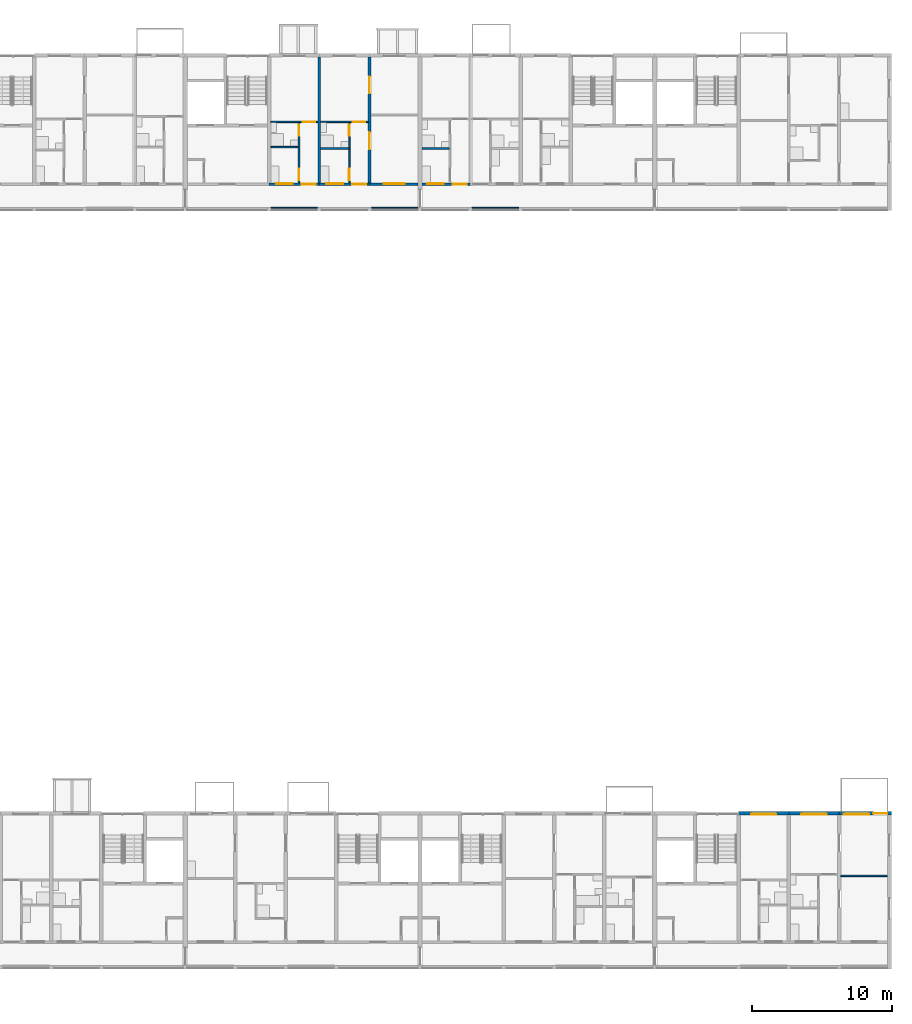
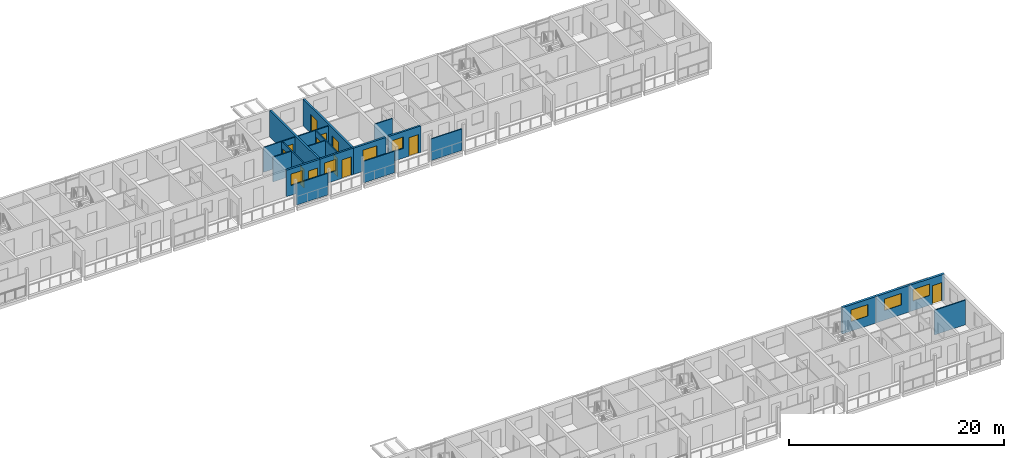
# One storey, part 57 of 100: 20 walls, 12 doors, 7 windows, 19 openings.
"""IFC4 building model written with IfcOpenShell, lengths in metres."""

from ifc_helpers import new_model, si_unit, direction, frame, frame_2d, origin, place, context, subcontext, project, spatial, rectangle, extrude, material, layer, layer_set, type_object, element, fill, save


model = new_model("IFC4")

# Units and contexts
model_context = context("Model", 3, precision=1e-05, world=origin(), true_north=direction((0.0, 1.0)))
body_context = subcontext(model_context, "Body", "Model", "MODEL_VIEW")
ifc_project = project(units=[si_unit("LENGTHUNIT", "METRE"), si_unit("AREAUNIT", "SQUARE_METRE"), si_unit("VOLUMEUNIT", "CUBIC_METRE"), si_unit("PLANEANGLEUNIT", "RADIAN"), si_unit("MASSUNIT", "GRAM", prefix="KILO")], contexts=[model_context])

# Site, building, storey
site_placement = place(None, origin())
site = spatial("IfcSite", under=ifc_project, at=site_placement, CompositionType="ELEMENT")
building_placement = place(site_placement, origin())
building = spatial("IfcBuilding", under=site, at=building_placement, Name="Ridgestep Commons", CompositionType="ELEMENT")
storey_placement = place(building_placement, frame((0.0, 0.0, 9.0)))
storey = spatial("IfcBuildingStorey", under=building, at=storey_placement, Name="L03", CompositionType="ELEMENT", Elevation=9.0)

# Wall
ifc_material_1 = material(Name="Precast concrete C40/50", Category="concrete")
ifc_layer_1 = layer(ifc_material_1, 0.199951171875)
ifc_layer_set_1 = layer_set([ifc_layer_1], Name="Cross wall 200")
wall_type_1 = type_object("IfcWallType", Name="Cross wall 200", PredefinedType="SHEAR", material=ifc_layer_set_1)
wall_1_placement = place(storey_placement, frame((206.800048828125, 68.0, 0.0), z_axis=(0.0, 0.0, 1.0), x_axis=(0.0, 1.0, 0.0)))
element("IfcWall", 1, at=wall_1_placement, inside=storey, type_object=wall_type_1, Name="Cross wall C-03-2068", PredefinedType="SHEAR", context=body_context, shape_type="SweptSolid", body=[
    extrude(rectangle(XDim=9.0, YDim=0.199951171875, at=frame_2d((4.5, 0.0))), origin(), (0.0, 0.0, 1.0), 3.0),
])

# Wall, openings, doors
wall_2_placement = place(storey_placement, frame((210.39990234375, 68.0, 0.0), z_axis=(0.0, 0.0, 1.0), x_axis=(0.0, 1.0, 0.0)))
wall_2 = element("IfcWall", 2, at=wall_2_placement, inside=storey, type_object=wall_type_1, Name="Cross wall C-03-2104", PredefinedType="SHEAR", context=body_context, shape_type="SweptSolid", body=[
    extrude(rectangle(XDim=9.0, YDim=0.199951171875, at=frame_2d((4.5, 0.0))), origin(), (0.0, 0.0, 1.0), 3.0),
])
opening_1_placement = place(wall_2_placement, frame((2.39990234375, 0.0, 0.0)))
opening_1 = element("IfcOpeningElement", 3, at=opening_1_placement, cuts=wall_2, Name="Opening C4-03a/5", PredefinedType="OPENING", context=body_context, shape_type="SweptSolid", body=[
    extrude(rectangle(XDim=1.199951171875, YDim=2.10009765625, at=frame_2d((0.60009765625, 1.050048828125))), frame((0.0, 0.10986328125, 0.0), z_axis=(0.0, -1.0, 0.0), x_axis=(1.0, 0.0, 0.0)), (0.0, 0.0, 1.0), 0.219970703125),
])
opening_2_placement = place(wall_2_placement, frame((6.39990234375, 0.0, 0.0)))
opening_2 = element("IfcOpeningElement", 4, at=opening_2_placement, cuts=wall_2, Name="Opening C4-03a/6", PredefinedType="OPENING", context=body_context, shape_type="SweptSolid", body=[
    extrude(rectangle(XDim=1.199951171875, YDim=2.10009765625, at=frame_2d((0.60009765625, 1.050048828125))), frame((0.0, 0.10986328125, 0.0), z_axis=(0.0, -1.0, 0.0), x_axis=(1.0, 0.0, 0.0)), (0.0, 0.0, 1.0), 0.219970703125),
])
ifc_material_2 = material(Name="Timber door leaf", Category="wood")
door_type_1 = type_object("IfcDoorType", Name="Double door 1200 x 2100", OperationType="DOUBLE_DOOR_SINGLE_SWING", PredefinedType="DOOR", material=ifc_material_2)
door_1_placement = place(opening_1_placement, origin())
door_1 = element("IfcDoor", 5, at=door_1_placement, inside=storey, type_object=door_type_1, Name="Double door C4-03a/5", OperationType="DOUBLE_DOOR_SINGLE_SWING", OverallHeight=2.10009765625, OverallWidth=1.199951171875, PredefinedType="DOOR", context=body_context, shape_type="SweptSolid", body=[
    extrude(rectangle(XDim=1.199951171875, YDim=2.10009765625, at=frame_2d((0.60009765625, 1.050048828125))), frame((0.0, 0.02490234375, 0.0), z_axis=(0.0, -1.0, 0.0), x_axis=(1.0, 0.0, 0.0)), (0.0, 0.0, 1.0), 0.050048828125),
])
fill(opening_1, door_1)
door_2_placement = place(opening_2_placement, origin())
door_2 = element("IfcDoor", 6, at=door_2_placement, inside=storey, type_object=door_type_1, Name="Double door C4-03a/6", OperationType="DOUBLE_DOOR_SINGLE_SWING", OverallHeight=2.10009765625, OverallWidth=1.199951171875, PredefinedType="DOOR", context=body_context, shape_type="SweptSolid", body=[
    extrude(rectangle(XDim=1.199951171875, YDim=2.10009765625, at=frame_2d((0.60009765625, 1.050048828125))), frame((0.0, 0.02490234375, 0.0), z_axis=(0.0, -1.0, 0.0), x_axis=(1.0, 0.0, 0.0)), (0.0, 0.0, 1.0), 0.050048828125),
])
fill(opening_2, door_2)

# Wall, opening, window
ifc_material_3 = material(Name="Precast concrete C40/50", Category="concrete")
ifc_layer_2 = layer(ifc_material_3, 0.25)
ifc_layer_set_2 = layer_set([ifc_layer_2], Name="North facade panel 250")
wall_type_2 = type_object("IfcWallType", Name="North facade panel 250", PredefinedType="SOLIDWALL", material=ifc_layer_set_2)
wall_3_placement = place(storey_placement, frame((236.800048828125, 22.875, 0.0), z_axis=(0.0, 0.0, 1.0), x_axis=(1.0, 0.0, 0.0)))
wall_3 = element("IfcWall", 7, at=wall_3_placement, inside=storey, type_object=wall_type_2, Name="North panel D6T3 L03", PredefinedType="SOLIDWALL", context=body_context, shape_type="SweptSolid", body=[
    extrude(rectangle(XDim=3.599853515625, YDim=0.25, at=frame_2d((1.7998046875, 0.0))), origin(), (0.0, 0.0, 1.0), 3.0),
])
opening_3_placement = place(wall_3_placement, frame((0.89990234375, 0.0, 1.10009765625)))
opening_3 = element("IfcOpeningElement", 8, at=opening_3_placement, cuts=wall_3, Name="Opening W18", PredefinedType="OPENING", context=body_context, shape_type="SweptSolid", body=[
    extrude(rectangle(XDim=1.800048828125, YDim=1.300048828125, at=frame_2d((0.89990234375, 0.64990234375))), frame((0.0, 0.135009765625, 0.0), z_axis=(0.0, -1.0, 0.0), x_axis=(1.0, 0.0, 0.0)), (0.0, 0.0, 1.0), 0.27001953125),
])
ifc_material_4 = material(Name="Aluminium 6063-T6 and glass", Category="aluminium")
window_type_1 = type_object("IfcWindowType", Name="Flat window 1800 x 1300", PartitioningType="DOUBLE_PANEL_VERTICAL", PredefinedType="WINDOW", material=ifc_material_4)
window_1_placement = place(opening_3_placement, origin())
window_1 = element("IfcWindow", 9, at=window_1_placement, inside=storey, type_object=window_type_1, Name="Window D6-03b 2", OverallHeight=1.300048828125, OverallWidth=1.800048828125, PartitioningType="SINGLE_PANEL", PredefinedType="WINDOW", context=body_context, shape_type="SweptSolid", body=[
    extrude(rectangle(XDim=1.800048828125, YDim=1.300048828125, at=frame_2d((0.89990234375, 0.64990234375))), frame((0.0, -0.02490234375, 0.0), z_axis=(0.0, -1.0, 0.0), x_axis=(1.0, 0.0, 0.0)), (0.0, 0.0, 1.0), 0.06005859375),
])
fill(opening_3, window_1)

wall_4_placement = place(storey_placement, frame((240.39990234375, 22.875, 0.0), z_axis=(0.0, 0.0, 1.0), x_axis=(1.0, 0.0, 0.0)))
wall_4 = element("IfcWall", 10, at=wall_4_placement, inside=storey, type_object=wall_type_2, Name="North panel D6T2 L03", PredefinedType="SOLIDWALL", context=body_context, shape_type="SweptSolid", body=[
    extrude(rectangle(XDim=3.60009765625, YDim=0.25, at=frame_2d((1.800048828125, 0.0))), origin(), (0.0, 0.0, 1.0), 3.0),
])
opening_4_placement = place(wall_4_placement, frame((0.89990234375, 0.0, 1.10009765625)))
opening_4 = element("IfcOpeningElement", 11, at=opening_4_placement, cuts=wall_4, Name="Opening W18", PredefinedType="OPENING", context=body_context, shape_type="SweptSolid", body=[
    extrude(rectangle(XDim=1.800048828125, YDim=1.300048828125, at=frame_2d((0.89990234375, 0.64990234375))), frame((0.0, 0.135009765625, 0.0), z_axis=(0.0, -1.0, 0.0), x_axis=(1.0, 0.0, 0.0)), (0.0, 0.0, 1.0), 0.27001953125),
])
window_2_placement = place(opening_4_placement, origin())
window_2 = element("IfcWindow", 12, at=window_2_placement, inside=storey, type_object=window_type_1, Name="Window D6-03a 4", OverallHeight=1.300048828125, OverallWidth=1.800048828125, PartitioningType="SINGLE_PANEL", PredefinedType="WINDOW", context=body_context, shape_type="SweptSolid", body=[
    extrude(rectangle(XDim=1.800048828125, YDim=1.300048828125, at=frame_2d((0.89990234375, 0.64990234375))), frame((0.0, -0.02490234375, 0.0), z_axis=(0.0, -1.0, 0.0), x_axis=(1.0, 0.0, 0.0)), (0.0, 0.0, 1.0), 0.06005859375),
])
fill(opening_4, window_2)

# Wall, openings, door, window
wall_5_placement = place(storey_placement, frame((244.0, 22.875, 0.0), z_axis=(0.0, 0.0, 1.0), x_axis=(1.0, 0.0, 0.0)))
wall_5 = element("IfcWall", 13, at=wall_5_placement, inside=storey, type_object=wall_type_2, Name="North panel D6T1 L03", PredefinedType="SOLIDWALL", context=body_context, shape_type="SweptSolid", body=[
    extrude(rectangle(XDim=3.75, YDim=0.25, at=frame_2d((1.875, 0.0))), origin(), (0.0, 0.0, 1.0), 3.0),
])
opening_5_placement = place(wall_5_placement, frame((0.33740234375, 0.0, 1.10009765625)))
opening_5 = element("IfcOpeningElement", 14, at=opening_5_placement, cuts=wall_5, Name="Opening W18", PredefinedType="OPENING", context=body_context, shape_type="SweptSolid", body=[
    extrude(rectangle(XDim=1.800048828125, YDim=1.300048828125, at=frame_2d((0.89990234375, 0.64990234375))), frame((0.0, 0.135009765625, 0.0), z_axis=(0.0, -1.0, 0.0), x_axis=(1.0, 0.0, 0.0)), (0.0, 0.0, 1.0), 0.27001953125),
])
opening_6_placement = place(wall_5_placement, frame((2.449951171875, 0.0, 0.0)))
opening_6 = element("IfcOpeningElement", 15, at=opening_6_placement, cuts=wall_5, Name="Opening D6-03a/7", PredefinedType="OPENING", context=body_context, shape_type="SweptSolid", body=[
    extrude(rectangle(XDim=1.0, YDim=2.10009765625, at=frame_2d((0.5, 1.050048828125))), frame((0.0, 0.135009765625, 0.0), z_axis=(0.0, -1.0, 0.0), x_axis=(1.0, 0.0, 0.0)), (0.0, 0.0, 1.0), 0.27001953125),
])
ifc_material_5 = material(Name="Aluminium and glass", Category="aluminium")
door_type_2 = type_object("IfcDoorType", Name="Balcony door 1000 x 2100", OperationType="NOTDEFINED", PredefinedType="DOOR", material=ifc_material_5)
door_3_placement = place(opening_6_placement, origin())
door_3 = element("IfcDoor", 16, at=door_3_placement, inside=storey, type_object=door_type_2, Name="Balcony door D6-03a/7", OperationType="SINGLE_SWING_LEFT", OverallHeight=2.10009765625, OverallWidth=1.0, PredefinedType="DOOR", context=body_context, shape_type="SweptSolid", body=[
    extrude(rectangle(XDim=1.0, YDim=2.10009765625, at=frame_2d((0.5, 1.050048828125))), frame((0.0, 0.02490234375, 0.0), z_axis=(0.0, -1.0, 0.0), x_axis=(1.0, 0.0, 0.0)), (0.0, 0.0, 1.0), 0.050048828125),
])
fill(opening_6, door_3)
window_3_placement = place(opening_5_placement, origin())
window_3 = element("IfcWindow", 17, at=window_3_placement, inside=storey, type_object=window_type_1, Name="Window D6-03a 2", OverallHeight=1.300048828125, OverallWidth=1.800048828125, PartitioningType="SINGLE_PANEL", PredefinedType="WINDOW", context=body_context, shape_type="SweptSolid", body=[
    extrude(rectangle(XDim=1.800048828125, YDim=1.300048828125, at=frame_2d((0.89990234375, 0.64990234375))), frame((0.0, -0.02490234375, 0.0), z_axis=(0.0, -1.0, 0.0), x_axis=(1.0, 0.0, 0.0)), (0.0, 0.0, 1.0), 0.06005859375),
])
fill(opening_5, window_3)

# Wall
ifc_material_6 = material(Name="Common brick 110 mm", Category="masonry")
ifc_layer_3 = layer(ifc_material_6, 0.110107421875)
ifc_layer_set_3 = layer_set([ifc_layer_3], Name="Partition 110")
wall_type_3 = type_object("IfcWallType", Name="Partition 110", PredefinedType="PARTITIONING", material=ifc_layer_set_3)
wall_6_placement = place(storey_placement, frame((206.89990234375, 70.455078125, 0.0), z_axis=(0.0, 0.0, 1.0), x_axis=(1.0, 0.0, 0.0)))
element("IfcWall", 18, at=wall_6_placement, inside=storey, type_object=wall_type_3, Name="Partition C4-03a", PredefinedType="PARTITIONING", context=body_context, shape_type="SweptSolid", body=[
    extrude(rectangle(XDim=1.989990234375, YDim=0.110107421875, at=frame_2d((0.9951171875, 0.0))), origin(), (0.0, 0.0, 1.0), 2.800048828125),
])

# Wall, openings, doors
wall_7_placement = place(storey_placement, frame((208.945068359375, 68.0, 0.0), z_axis=(0.0, 0.0, 1.0), x_axis=(0.0, 1.0, 0.0)))
wall_7 = element("IfcWall", 19, at=wall_7_placement, inside=storey, type_object=wall_type_3, Name="Partition C4-03a", PredefinedType="PARTITIONING", context=body_context, shape_type="SweptSolid", body=[
    extrude(rectangle(XDim=4.300048828125, YDim=0.110107421875, at=frame_2d((2.14990234375, 0.0))), origin(), (0.0, 0.0, 1.0), 2.800048828125),
])
opening_7_placement = place(wall_7_placement, frame((0.199951171875, 0.0, 0.0)))
opening_7 = element("IfcOpeningElement", 20, at=opening_7_placement, cuts=wall_7, Name="Opening C4-03a/2", PredefinedType="OPENING", context=body_context, shape_type="SweptSolid", body=[
    extrude(rectangle(XDim=0.800048828125, YDim=2.10009765625, at=frame_2d((0.39990234375, 1.050048828125))), frame((0.0, 0.06494140625, 0.0), z_axis=(0.0, -1.0, 0.0), x_axis=(1.0, 0.0, 0.0)), (0.0, 0.0, 1.0), 0.130126953125),
])
opening_8_placement = place(wall_7_placement, frame((3.35009765625, 0.0, 0.0)))
opening_8 = element("IfcOpeningElement", 21, at=opening_8_placement, cuts=wall_7, Name="Opening C4-03a/3", PredefinedType="OPENING", context=body_context, shape_type="SweptSolid", body=[
    extrude(rectangle(XDim=0.800048828125, YDim=2.10009765625, at=frame_2d((0.39990234375, 1.050048828125))), frame((0.0, 0.06494140625, 0.0), z_axis=(0.0, -1.0, 0.0), x_axis=(1.0, 0.0, 0.0)), (0.0, 0.0, 1.0), 0.130126953125),
])
ifc_material_7 = material(Name="Timber door leaf", Category="wood")
door_type_3 = type_object("IfcDoorType", Name="Internal door 800 x 2100", OperationType="NOTDEFINED", PredefinedType="DOOR", material=ifc_material_7)
door_4_placement = place(opening_7_placement, origin())
door_4 = element("IfcDoor", 22, at=door_4_placement, inside=storey, type_object=door_type_3, Name="Internal door C4-03a/2", OperationType="SINGLE_SWING_LEFT", OverallHeight=2.10009765625, OverallWidth=0.800048828125, PredefinedType="DOOR", context=body_context, shape_type="SweptSolid", body=[
    extrude(rectangle(XDim=0.800048828125, YDim=2.10009765625, at=frame_2d((0.39990234375, 1.050048828125))), frame((0.0, 0.02490234375, 0.0), z_axis=(0.0, -1.0, 0.0), x_axis=(1.0, 0.0, 0.0)), (0.0, 0.0, 1.0), 0.050048828125),
])
fill(opening_7, door_4)
door_5_placement = place(opening_8_placement, origin())
door_5 = element("IfcDoor", 23, at=door_5_placement, inside=storey, type_object=door_type_3, Name="Internal door C4-03a/3", OperationType="SINGLE_SWING_RIGHT", OverallHeight=2.10009765625, OverallWidth=0.800048828125, PredefinedType="DOOR", context=body_context, shape_type="SweptSolid", body=[
    extrude(rectangle(XDim=0.800048828125, YDim=2.10009765625, at=frame_2d((0.39990234375, 1.050048828125))), frame((0.0, 0.02490234375, 0.0), z_axis=(0.0, -1.0, 0.0), x_axis=(1.0, 0.0, 0.0)), (0.0, 0.0, 1.0), 0.050048828125),
])
fill(opening_8, door_5)

# Wall, opening, door
wall_8_placement = place(storey_placement, frame((206.89990234375, 72.35498046875, 0.0), z_axis=(0.0, 0.0, 1.0), x_axis=(1.0, 0.0, 0.0)))
wall_8 = element("IfcWall", 24, at=wall_8_placement, inside=storey, type_object=wall_type_3, Name="Partition C4-03a", PredefinedType="PARTITIONING", context=body_context, shape_type="SweptSolid", body=[
    extrude(rectangle(XDim=3.400146484375, YDim=0.110107421875, at=frame_2d((1.7001953125, 0.0))), origin(), (0.0, 0.0, 1.0), 2.800048828125),
])
opening_9_placement = place(wall_8_placement, frame((2.300048828125, 0.0, 0.0)))
opening_9 = element("IfcOpeningElement", 25, at=opening_9_placement, cuts=wall_8, Name="Opening C4-03a/4", PredefinedType="OPENING", context=body_context, shape_type="SweptSolid", body=[
    extrude(rectangle(XDim=0.89990234375, YDim=2.10009765625, at=frame_2d((0.449951171875, 1.050048828125))), frame((0.0, 0.06494140625, 0.0), z_axis=(0.0, -1.0, 0.0), x_axis=(1.0, 0.0, 0.0)), (0.0, 0.0, 1.0), 0.130126953125),
])
ifc_material_8 = material(Name="Timber door leaf", Category="wood")
door_type_4 = type_object("IfcDoorType", Name="Internal door 900 x 2100", OperationType="NOTDEFINED", PredefinedType="DOOR", material=ifc_material_8)
door_6_placement = place(opening_9_placement, origin())
door_6 = element("IfcDoor", 26, at=door_6_placement, inside=storey, type_object=door_type_4, Name="Internal door C4-03a/4", OperationType="SINGLE_SWING_LEFT", OverallHeight=2.10009765625, OverallWidth=0.89990234375, PredefinedType="DOOR", context=body_context, shape_type="SweptSolid", body=[
    extrude(rectangle(XDim=0.89990234375, YDim=2.10009765625, at=frame_2d((0.449951171875, 1.050048828125))), frame((0.0, 0.02490234375, 0.0), z_axis=(0.0, -1.0, 0.0), x_axis=(1.0, 0.0, 0.0)), (0.0, 0.0, 1.0), 0.050048828125),
])
fill(opening_9, door_6)

# Wall
wall_9_placement = place(storey_placement, frame((203.324951171875, 70.554931640625, 0.0), z_axis=(0.0, 0.0, 1.0), x_axis=(1.0, 0.0, 0.0)))
element("IfcWall", 27, at=wall_9_placement, inside=storey, type_object=wall_type_3, Name="Partition C4-03b", PredefinedType="PARTITIONING", context=body_context, shape_type="SweptSolid", body=[
    extrude(rectangle(XDim=1.965087890625, YDim=0.110107421875, at=frame_2d((0.982421875, 0.0))), origin(), (0.0, 0.0, 1.0), 2.800048828125),
])

# Wall, openings, doors
wall_10_placement = place(storey_placement, frame((205.344970703125, 68.0, 0.0), z_axis=(0.0, 0.0, 1.0), x_axis=(0.0, 1.0, 0.0)))
wall_10 = element("IfcWall", 28, at=wall_10_placement, inside=storey, type_object=wall_type_3, Name="Partition C4-03b", PredefinedType="PARTITIONING", context=body_context, shape_type="SweptSolid", body=[
    extrude(rectangle(XDim=4.300048828125, YDim=0.110107421875, at=frame_2d((2.14990234375, 0.0))), origin(), (0.0, 0.0, 1.0), 2.800048828125),
])
opening_10_placement = place(wall_10_placement, frame((0.199951171875, 0.0, 0.0)))
opening_10 = element("IfcOpeningElement", 29, at=opening_10_placement, cuts=wall_10, Name="Opening C4-03b/2", PredefinedType="OPENING", context=body_context, shape_type="SweptSolid", body=[
    extrude(rectangle(XDim=0.800048828125, YDim=2.10009765625, at=frame_2d((0.39990234375, 1.050048828125))), frame((0.0, 0.06494140625, 0.0), z_axis=(0.0, -1.0, 0.0), x_axis=(1.0, 0.0, 0.0)), (0.0, 0.0, 1.0), 0.130126953125),
])
opening_11_placement = place(wall_10_placement, frame((3.35009765625, 0.0, 0.0)))
opening_11 = element("IfcOpeningElement", 30, at=opening_11_placement, cuts=wall_10, Name="Opening C4-03b/3", PredefinedType="OPENING", context=body_context, shape_type="SweptSolid", body=[
    extrude(rectangle(XDim=0.800048828125, YDim=2.10009765625, at=frame_2d((0.39990234375, 1.050048828125))), frame((0.0, 0.06494140625, 0.0), z_axis=(0.0, -1.0, 0.0), x_axis=(1.0, 0.0, 0.0)), (0.0, 0.0, 1.0), 0.130126953125),
])
door_7_placement = place(opening_10_placement, origin())
door_7 = element("IfcDoor", 31, at=door_7_placement, inside=storey, type_object=door_type_3, Name="Internal door C4-03b/2", OperationType="SINGLE_SWING_LEFT", OverallHeight=2.10009765625, OverallWidth=0.800048828125, PredefinedType="DOOR", context=body_context, shape_type="SweptSolid", body=[
    extrude(rectangle(XDim=0.800048828125, YDim=2.10009765625, at=frame_2d((0.39990234375, 1.050048828125))), frame((0.0, 0.02490234375, 0.0), z_axis=(0.0, -1.0, 0.0), x_axis=(1.0, 0.0, 0.0)), (0.0, 0.0, 1.0), 0.050048828125),
])
fill(opening_10, door_7)
door_8_placement = place(opening_11_placement, origin())
door_8 = element("IfcDoor", 32, at=door_8_placement, inside=storey, type_object=door_type_3, Name="Internal door C4-03b/3", OperationType="SINGLE_SWING_RIGHT", OverallHeight=2.10009765625, OverallWidth=0.800048828125, PredefinedType="DOOR", context=body_context, shape_type="SweptSolid", body=[
    extrude(rectangle(XDim=0.800048828125, YDim=2.10009765625, at=frame_2d((0.39990234375, 1.050048828125))), frame((0.0, 0.02490234375, 0.0), z_axis=(0.0, -1.0, 0.0), x_axis=(1.0, 0.0, 0.0)), (0.0, 0.0, 1.0), 0.050048828125),
])
fill(opening_11, door_8)

# Wall, opening, door
wall_11_placement = place(storey_placement, frame((203.324951171875, 72.35498046875, 0.0), z_axis=(0.0, 0.0, 1.0), x_axis=(1.0, 0.0, 0.0)))
wall_11 = element("IfcWall", 33, at=wall_11_placement, inside=storey, type_object=wall_type_3, Name="Partition C4-03b", PredefinedType="PARTITIONING", context=body_context, shape_type="SweptSolid", body=[
    extrude(rectangle(XDim=3.375, YDim=0.110107421875, at=frame_2d((1.6875, 0.0))), origin(), (0.0, 0.0, 1.0), 2.800048828125),
])
opening_12_placement = place(wall_11_placement, frame((2.27490234375, 0.0, 0.0)))
opening_12 = element("IfcOpeningElement", 34, at=opening_12_placement, cuts=wall_11, Name="Opening C4-03b/4", PredefinedType="OPENING", context=body_context, shape_type="SweptSolid", body=[
    extrude(rectangle(XDim=0.89990234375, YDim=2.10009765625, at=frame_2d((0.449951171875, 1.050048828125))), frame((0.0, 0.06494140625, 0.0), z_axis=(0.0, -1.0, 0.0), x_axis=(1.0, 0.0, 0.0)), (0.0, 0.0, 1.0), 0.130126953125),
])
door_9_placement = place(opening_12_placement, origin())
door_9 = element("IfcDoor", 35, at=door_9_placement, inside=storey, type_object=door_type_4, Name="Internal door C4-03b/4", OperationType="SINGLE_SWING_LEFT", OverallHeight=2.10009765625, OverallWidth=0.89990234375, PredefinedType="DOOR", context=body_context, shape_type="SweptSolid", body=[
    extrude(rectangle(XDim=0.89990234375, YDim=2.10009765625, at=frame_2d((0.449951171875, 1.050048828125))), frame((0.0, 0.02490234375, 0.0), z_axis=(0.0, -1.0, 0.0), x_axis=(1.0, 0.0, 0.0)), (0.0, 0.0, 1.0), 0.050048828125),
])
fill(opening_12, door_9)

# Walls
wall_12_placement = place(storey_placement, frame((214.14990234375, 70.455078125, 0.0), z_axis=(0.0, 0.0, 1.0), x_axis=(1.0, 0.0, 0.0)))
element("IfcWall", 36, at=wall_12_placement, inside=storey, type_object=wall_type_3, Name="Partition C5-03a", PredefinedType="PARTITIONING", context=body_context, shape_type="SweptSolid", body=[
    extrude(rectangle(XDim=1.940185546875, YDim=0.110107421875, at=frame_2d((0.97021484375, 0.0))), origin(), (0.0, 0.0, 1.0), 2.800048828125),
])
wall_13_placement = place(storey_placement, frame((244.125, 18.405029296875, 0.0), z_axis=(0.0, 0.0, 1.0), x_axis=(1.0, 0.0, 0.0)))
element("IfcWall", 37, at=wall_13_placement, inside=storey, type_object=wall_type_3, Name="Partition D6-03a", PredefinedType="PARTITIONING", context=body_context, shape_type="SweptSolid", body=[
    extrude(rectangle(XDim=3.324951171875, YDim=0.110107421875, at=frame_2d((1.66259765625, 0.0))), origin(), (0.0, 0.0, 1.0), 2.800048828125),
])
ifc_material_9 = material(Name="Precast concrete C30/37", Category="concrete")
ifc_layer_4 = layer(ifc_material_9, 0.10009765625)
ifc_layer_set_4 = layer_set([ifc_layer_4], Name="Perforated gallery screen 3325 x 2450 x 100")
wall_type_4 = type_object("IfcWallType", Name="Perforated gallery screen 3325 x 2450 x 100", PredefinedType="SOLIDWALL", material=ifc_layer_set_4)
wall_14_placement = place(storey_placement, frame((210.52490234375, 66.199951171875, 0.0), z_axis=(0.0, 0.0, 1.0), x_axis=(1.0, 0.0, 0.0)))
element("IfcWall", 38, at=wall_14_placement, inside=storey, type_object=wall_type_4, Name="Gallery screen C4T1 03", PredefinedType="SOLIDWALL", context=body_context, shape_type="SweptSolid", body=[
    extrude(rectangle(XDim=3.3251953125, YDim=0.10009765625, at=frame_2d((1.66259765625, 0.0))), origin(), (0.0, 0.0, 1.0), 2.449951171875),
])
ifc_material_10 = material(Name="Precast concrete C30/37", Category="concrete")
ifc_layer_5 = layer(ifc_material_10, 0.10009765625)
ifc_layer_set_5 = layer_set([ifc_layer_5], Name="Perforated gallery screen 3350 x 2450 x 100")
wall_type_5 = type_object("IfcWallType", Name="Perforated gallery screen 3350 x 2450 x 100", PredefinedType="SOLIDWALL", material=ifc_layer_set_5)
wall_15_placement = place(storey_placement, frame((203.324951171875, 66.199951171875, 0.0), z_axis=(0.0, 0.0, 1.0), x_axis=(1.0, 0.0, 0.0)))
element("IfcWall", 39, at=wall_15_placement, inside=storey, type_object=wall_type_5, Name="Gallery screen C4T3 03", PredefinedType="SOLIDWALL", context=body_context, shape_type="SweptSolid", body=[
    extrude(rectangle(XDim=3.35009765625, YDim=0.10009765625, at=frame_2d((1.675048828125, 0.0))), origin(), (0.0, 0.0, 1.0), 2.449951171875),
])
wall_16_placement = place(storey_placement, frame((217.72509765625, 66.199951171875, 0.0), z_axis=(0.0, 0.0, 1.0), x_axis=(1.0, 0.0, 0.0)))
element("IfcWall", 40, at=wall_16_placement, inside=storey, type_object=wall_type_5, Name="Gallery screen C5T2 03", PredefinedType="SOLIDWALL", context=body_context, shape_type="SweptSolid", body=[
    extrude(rectangle(XDim=3.349853515625, YDim=0.10009765625, at=frame_2d((1.6748046875, 0.0))), origin(), (0.0, 0.0, 1.0), 2.449951171875),
])

# Wall, openings, door, window
ifc_material_11 = material(Name="Precast concrete C40/50", Category="concrete")
ifc_layer_6 = layer(ifc_material_11, 0.199951171875)
ifc_layer_set_6 = layer_set([ifc_layer_6], Name="South facade panel 200")
wall_type_6 = type_object("IfcWallType", Name="South facade panel 200", PredefinedType="SOLIDWALL", material=ifc_layer_set_6)
wall_17_placement = place(storey_placement, frame((203.199951171875, 67.89990234375, 0.0), z_axis=(0.0, 0.0, 1.0), x_axis=(1.0, 0.0, 0.0)))
wall_17 = element("IfcWall", 41, at=wall_17_placement, inside=storey, type_object=wall_type_6, Name="South panel C4T3 L03", PredefinedType="SOLIDWALL", context=body_context, shape_type="SweptSolid", body=[
    extrude(rectangle(XDim=3.60009765625, YDim=0.199951171875, at=frame_2d((1.800048828125, 0.0))), origin(), (0.0, 0.0, 1.0), 3.0),
])
opening_13_placement = place(wall_17_placement, frame((0.507568359375, 0.0, 1.10009765625)))
opening_13 = element("IfcOpeningElement", 42, at=opening_13_placement, cuts=wall_17, Name="Opening W08", PredefinedType="OPENING", context=body_context, shape_type="SweptSolid", body=[
    extrude(rectangle(XDim=1.199951171875, YDim=1.300048828125, at=frame_2d((0.60009765625, 0.64990234375))), frame((0.0, 0.10986328125, 0.0), z_axis=(0.0, -1.0, 0.0), x_axis=(1.0, 0.0, 0.0)), (0.0, 0.0, 1.0), 0.219970703125),
])
opening_14_placement = place(wall_17_placement, frame((2.35009765625, 0.0, 0.0)))
opening_14 = element("IfcOpeningElement", 43, at=opening_14_placement, cuts=wall_17, Name="Opening C4-03b/1", PredefinedType="OPENING", context=body_context, shape_type="SweptSolid", body=[
    extrude(rectangle(XDim=1.0, YDim=2.10009765625, at=frame_2d((0.5, 1.050048828125))), frame((0.0, 0.10986328125, 0.0), z_axis=(0.0, -1.0, 0.0), x_axis=(1.0, 0.0, 0.0)), (0.0, 0.0, 1.0), 0.219970703125),
])
ifc_material_12 = material(Name="Timber door leaf", Category="wood")
door_type_5 = type_object("IfcDoorType", Name="Flat entrance door 1000 x 2100 FD30S", OperationType="NOTDEFINED", PredefinedType="DOOR", material=ifc_material_12)
door_10_placement = place(opening_14_placement, origin())
door_10 = element("IfcDoor", 44, at=door_10_placement, inside=storey, type_object=door_type_5, Name="Flat entrance door C4-03b/1", OperationType="SINGLE_SWING_RIGHT", OverallHeight=2.10009765625, OverallWidth=1.0, PredefinedType="DOOR", context=body_context, shape_type="SweptSolid", body=[
    extrude(rectangle(XDim=1.0, YDim=2.10009765625, at=frame_2d((0.5, 1.050048828125))), frame((0.0, 0.02490234375, 0.0), z_axis=(0.0, -1.0, 0.0), x_axis=(1.0, 0.0, 0.0)), (0.0, 0.0, 1.0), 0.050048828125),
])
fill(opening_14, door_10)
ifc_material_13 = material(Name="Aluminium 6063-T6 and glass", Category="aluminium")
window_type_2 = type_object("IfcWindowType", Name="Flat window 1200 x 1300", PartitioningType="SINGLE_PANEL", PredefinedType="WINDOW", material=ifc_material_13)
window_4_placement = place(opening_13_placement, origin())
window_4 = element("IfcWindow", 45, at=window_4_placement, inside=storey, type_object=window_type_2, Name="Window C4-03b 1", OverallHeight=1.300048828125, OverallWidth=1.199951171875, PartitioningType="SINGLE_PANEL", PredefinedType="WINDOW", context=body_context, shape_type="SweptSolid", body=[
    extrude(rectangle(XDim=1.199951171875, YDim=1.300048828125, at=frame_2d((0.60009765625, 0.64990234375))), frame((0.0, 0.06005859375, 0.0), z_axis=(0.0, -1.0, 0.0), x_axis=(1.0, 0.0, 0.0)), (0.0, 0.0, 1.0), 0.06005859375),
])
fill(opening_13, window_4)

wall_18_placement = place(storey_placement, frame((206.800048828125, 67.89990234375, 0.0), z_axis=(0.0, 0.0, 1.0), x_axis=(1.0, 0.0, 0.0)))
wall_18 = element("IfcWall", 46, at=wall_18_placement, inside=storey, type_object=wall_type_6, Name="South panel C4T2 L03", PredefinedType="SOLIDWALL", context=body_context, shape_type="SweptSolid", body=[
    extrude(rectangle(XDim=3.599853515625, YDim=0.199951171875, at=frame_2d((1.7998046875, 0.0))), origin(), (0.0, 0.0, 1.0), 3.0),
])
opening_15_placement = place(wall_18_placement, frame((0.4951171875, 0.0, 1.10009765625)))
opening_15 = element("IfcOpeningElement", 47, at=opening_15_placement, cuts=wall_18, Name="Opening W08", PredefinedType="OPENING", context=body_context, shape_type="SweptSolid", body=[
    extrude(rectangle(XDim=1.199951171875, YDim=1.300048828125, at=frame_2d((0.60009765625, 0.64990234375))), frame((0.0, 0.10986328125, 0.0), z_axis=(0.0, -1.0, 0.0), x_axis=(1.0, 0.0, 0.0)), (0.0, 0.0, 1.0), 0.219970703125),
])
opening_16_placement = place(wall_18_placement, frame((2.35009765625, 0.0, 0.0)))
opening_16 = element("IfcOpeningElement", 48, at=opening_16_placement, cuts=wall_18, Name="Opening C4-03a/1", PredefinedType="OPENING", context=body_context, shape_type="SweptSolid", body=[
    extrude(rectangle(XDim=1.0, YDim=2.10009765625, at=frame_2d((0.5, 1.050048828125))), frame((0.0, 0.10986328125, 0.0), z_axis=(0.0, -1.0, 0.0), x_axis=(1.0, 0.0, 0.0)), (0.0, 0.0, 1.0), 0.219970703125),
])
door_11_placement = place(opening_16_placement, origin())
door_11 = element("IfcDoor", 49, at=door_11_placement, inside=storey, type_object=door_type_5, Name="Flat entrance door C4-03a/1", OperationType="SINGLE_SWING_RIGHT", OverallHeight=2.10009765625, OverallWidth=1.0, PredefinedType="DOOR", context=body_context, shape_type="SweptSolid", body=[
    extrude(rectangle(XDim=1.0, YDim=2.10009765625, at=frame_2d((0.5, 1.050048828125))), frame((0.0, 0.02490234375, 0.0), z_axis=(0.0, -1.0, 0.0), x_axis=(1.0, 0.0, 0.0)), (0.0, 0.0, 1.0), 0.050048828125),
])
fill(opening_16, door_11)
window_5_placement = place(opening_15_placement, origin())
window_5 = element("IfcWindow", 50, at=window_5_placement, inside=storey, type_object=window_type_2, Name="Window C4-03a 3", OverallHeight=1.300048828125, OverallWidth=1.199951171875, PartitioningType="SINGLE_PANEL", PredefinedType="WINDOW", context=body_context, shape_type="SweptSolid", body=[
    extrude(rectangle(XDim=1.199951171875, YDim=1.300048828125, at=frame_2d((0.60009765625, 0.64990234375))), frame((0.0, 0.06005859375, 0.0), z_axis=(0.0, -1.0, 0.0), x_axis=(1.0, 0.0, 0.0)), (0.0, 0.0, 1.0), 0.06005859375),
])
fill(opening_15, window_5)

# Wall, opening, window
wall_19_placement = place(storey_placement, frame((210.39990234375, 67.89990234375, 0.0), z_axis=(0.0, 0.0, 1.0), x_axis=(1.0, 0.0, 0.0)))
wall_19 = element("IfcWall", 51, at=wall_19_placement, inside=storey, type_object=wall_type_6, Name="South panel C4T1 L03", PredefinedType="SOLIDWALL", context=body_context, shape_type="SweptSolid", body=[
    extrude(rectangle(XDim=3.4501953125, YDim=0.199951171875, at=frame_2d((1.72509765625, 0.0))), origin(), (0.0, 0.0, 1.0), 3.0),
])
opening_17_placement = place(wall_19_placement, frame((1.02490234375, 0.0, 0.89990234375)))
opening_17 = element("IfcOpeningElement", 52, at=opening_17_placement, cuts=wall_19, Name="Opening W16", PredefinedType="OPENING", context=body_context, shape_type="SweptSolid", body=[
    extrude(rectangle(XDim=1.5, YDim=1.5, at=frame_2d((0.75, 0.75))), frame((0.0, 0.10986328125, 0.0), z_axis=(0.0, -1.0, 0.0), x_axis=(1.0, 0.0, 0.0)), (0.0, 0.0, 1.0), 0.219970703125),
])
ifc_material_14 = material(Name="Aluminium 6063-T6 and glass", Category="aluminium")
window_type_3 = type_object("IfcWindowType", Name="Flat window 1500 x 1500", PartitioningType="DOUBLE_PANEL_VERTICAL", PredefinedType="WINDOW", material=ifc_material_14)
window_6_placement = place(opening_17_placement, origin())
window_6 = element("IfcWindow", 53, at=window_6_placement, inside=storey, type_object=window_type_3, Name="Window C4-03a 1", OverallHeight=1.5, OverallWidth=1.5, PartitioningType="SINGLE_PANEL", PredefinedType="WINDOW", context=body_context, shape_type="SweptSolid", body=[
    extrude(rectangle(XDim=1.5, YDim=1.5, at=frame_2d((0.75, 0.75))), frame((0.0, 0.06005859375, 0.0), z_axis=(0.0, -1.0, 0.0), x_axis=(1.0, 0.0, 0.0)), (0.0, 0.0, 1.0), 0.06005859375),
])
fill(opening_17, window_6)

# Wall, openings, door, window
wall_20_placement = place(storey_placement, frame((214.14990234375, 67.89990234375, 0.0), z_axis=(0.0, 0.0, 1.0), x_axis=(1.0, 0.0, 0.0)))
wall_20 = element("IfcWall", 54, at=wall_20_placement, inside=storey, type_object=wall_type_6, Name="South panel C5T1 L03", PredefinedType="SOLIDWALL", context=body_context, shape_type="SweptSolid", body=[
    extrude(rectangle(XDim=3.4501953125, YDim=0.199951171875, at=frame_2d((1.72509765625, 0.0))), origin(), (0.0, 0.0, 1.0), 3.0),
])
opening_18_placement = place(wall_20_placement, frame((0.3701171875, 0.0, 1.10009765625)))
opening_18 = element("IfcOpeningElement", 55, at=opening_18_placement, cuts=wall_20, Name="Opening W08", PredefinedType="OPENING", context=body_context, shape_type="SweptSolid", body=[
    extrude(rectangle(XDim=1.199951171875, YDim=1.300048828125, at=frame_2d((0.60009765625, 0.64990234375))), frame((0.0, 0.10986328125, 0.0), z_axis=(0.0, -1.0, 0.0), x_axis=(1.0, 0.0, 0.0)), (0.0, 0.0, 1.0), 0.219970703125),
])
opening_19_placement = place(wall_20_placement, frame((2.199951171875, 0.0, 0.0)))
opening_19 = element("IfcOpeningElement", 56, at=opening_19_placement, cuts=wall_20, Name="Opening C5-03a/1", PredefinedType="OPENING", context=body_context, shape_type="SweptSolid", body=[
    extrude(rectangle(XDim=1.0, YDim=2.10009765625, at=frame_2d((0.5, 1.050048828125))), frame((0.0, 0.10986328125, 0.0), z_axis=(0.0, -1.0, 0.0), x_axis=(1.0, 0.0, 0.0)), (0.0, 0.0, 1.0), 0.219970703125),
])
door_12_placement = place(opening_19_placement, origin())
door_12 = element("IfcDoor", 57, at=door_12_placement, inside=storey, type_object=door_type_5, Name="Flat entrance door C5-03a/1", OperationType="SINGLE_SWING_RIGHT", OverallHeight=2.10009765625, OverallWidth=1.0, PredefinedType="DOOR", context=body_context, shape_type="SweptSolid", body=[
    extrude(rectangle(XDim=1.0, YDim=2.10009765625, at=frame_2d((0.5, 1.050048828125))), frame((0.0, 0.02490234375, 0.0), z_axis=(0.0, -1.0, 0.0), x_axis=(1.0, 0.0, 0.0)), (0.0, 0.0, 1.0), 0.050048828125),
])
fill(opening_19, door_12)
window_7_placement = place(opening_18_placement, origin())
window_7 = element("IfcWindow", 58, at=window_7_placement, inside=storey, type_object=window_type_2, Name="Window C5-03a 1", OverallHeight=1.300048828125, OverallWidth=1.199951171875, PartitioningType="SINGLE_PANEL", PredefinedType="WINDOW", context=body_context, shape_type="SweptSolid", body=[
    extrude(rectangle(XDim=1.199951171875, YDim=1.300048828125, at=frame_2d((0.60009765625, 0.64990234375))), frame((0.0, 0.06005859375, 0.0), z_axis=(0.0, -1.0, 0.0), x_axis=(1.0, 0.0, 0.0)), (0.0, 0.0, 1.0), 0.06005859375),
])
fill(opening_18, window_7)

save(model, "model.ifc")
